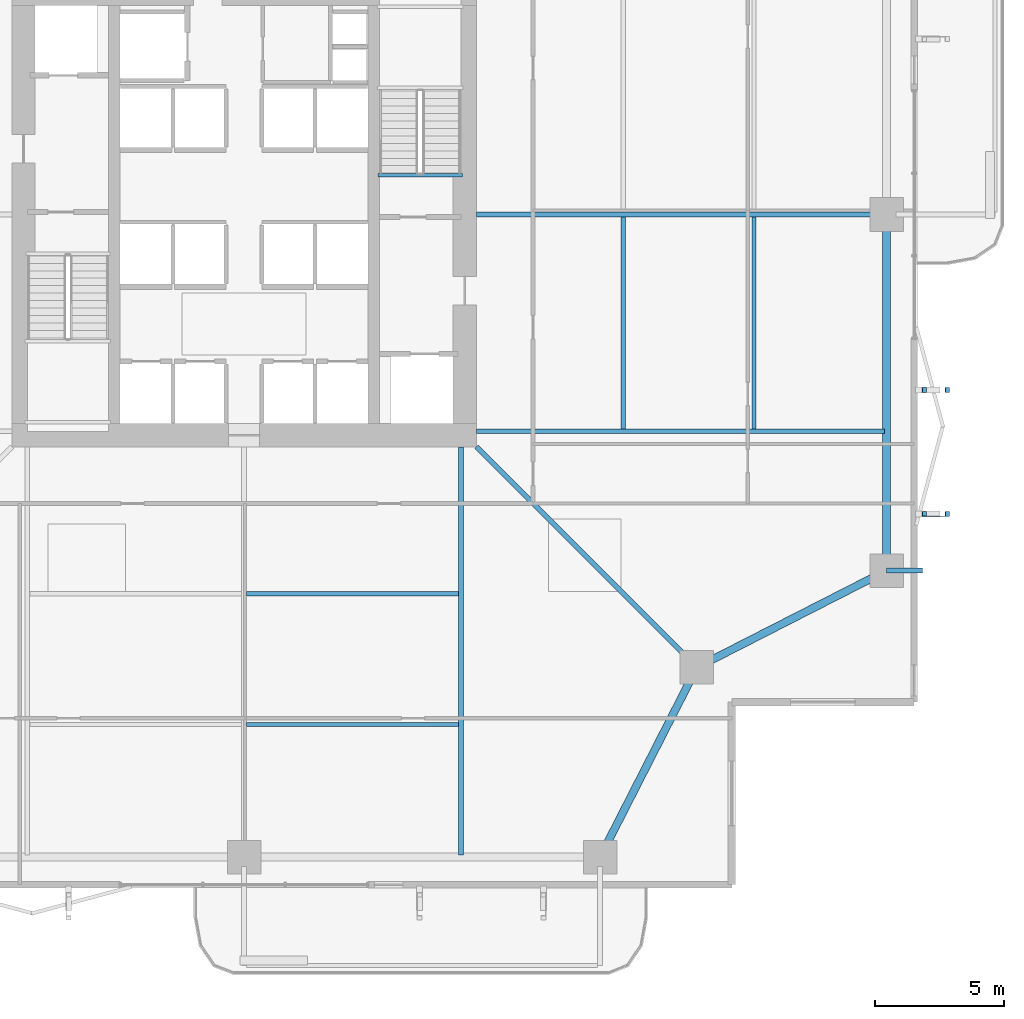
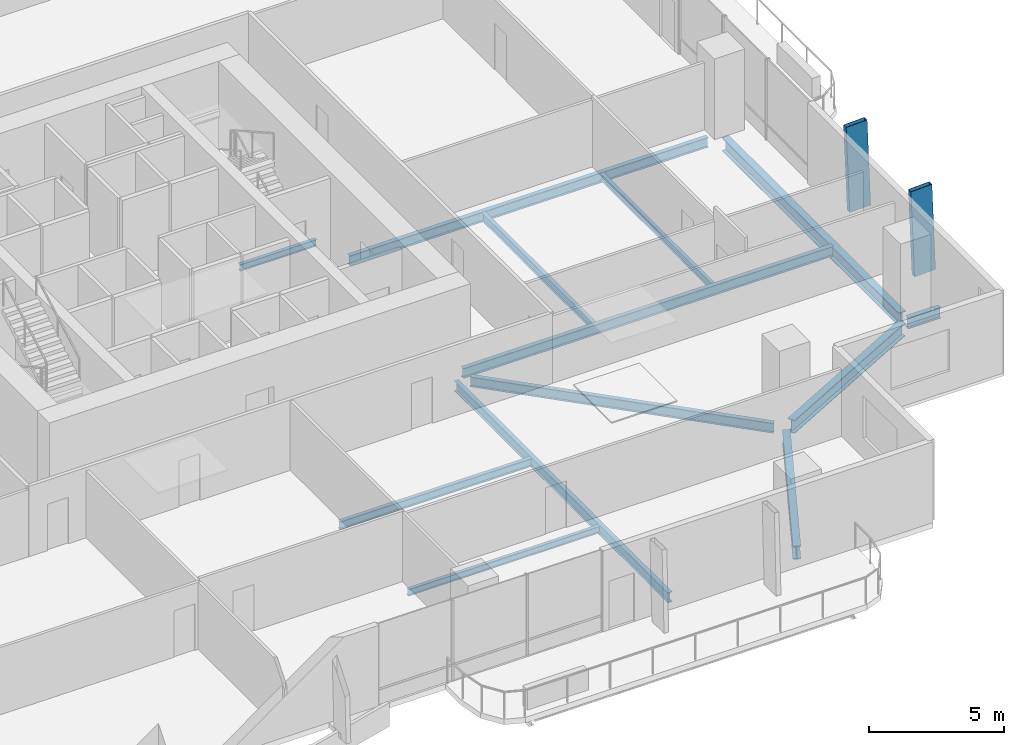
# One storey, part 7 of 24: 13 beams, 2 members.
"""IFC4 building model written with IfcOpenShell, lengths in metres."""

from ifc_helpers import new_model, si_unit, direction, frame, origin, origin_2d, place, context, subcontext, project, spatial, hollow_rectangle, i_section, extrude, material, material_profile, profile_set, type_object, element, save


model = new_model("IFC4")

# Units and contexts
model_context = context("Model", 3, precision=1e-05, world=origin(), true_north=direction((0.0, 1.0)))
body_context = subcontext(model_context, "Body", "Model", "MODEL_VIEW")
ifc_project = project(units=[si_unit("LENGTHUNIT", "METRE"), si_unit("AREAUNIT", "SQUARE_METRE"), si_unit("VOLUMEUNIT", "CUBIC_METRE"), si_unit("PLANEANGLEUNIT", "RADIAN"), si_unit("MASSUNIT", "GRAM", prefix="KILO")], contexts=[model_context])

# Site, building, storey
site_placement = place(None, origin())
site = spatial("IfcSite", under=ifc_project, at=site_placement, CompositionType="ELEMENT")
building_placement = place(site_placement, origin())
building = spatial("IfcBuilding", under=site, at=building_placement, Name="Belovzor Exchange Tower", CompositionType="ELEMENT")
storey_placement = place(building_placement, frame((0.0, 0.0, 121.199951171875)))
storey = spatial("IfcBuildingStorey", under=building, at=storey_placement, Name="L29", CompositionType="ELEMENT", Elevation=121.199951171875)

# Beams
ifc_material_1 = material(Name="Steel S355", Category="steel")
ifc_material_profile_1 = material_profile(ifc_material_1, i_section(OverallWidth=0.199951171875, OverallDepth=0.5, WebThickness=0.01025390625, FlangeThickness=0.01611328125, at=origin_2d()))
ifc_profile_set_1 = profile_set([ifc_material_profile_1], Name="Steel S355")
beam_type_1 = type_object("IfcBeamType", Name="Planted Balcony Cantilever Beam IPE 500", PredefinedType="BEAM", material=ifc_profile_set_1)
beam_1_placement = place(storey_placement, frame((53.699951171875, 15.0, -0.5), z_axis=(1.0, 0.0, 0.0), x_axis=(0.0, 1.0, 0.0)))
element("IfcBeam", 1, at=beam_1_placement, inside=storey, type_object=beam_type_1, Name="BC-500 Planted Balcony Cantilever Beam IPE 500", PredefinedType="BEAM", context=body_context, shape_type="SweptSolid", body=[
    extrude(i_section(OverallWidth=0.199951171875, OverallDepth=0.5, WebThickness=0.01025390625, FlangeThickness=0.01611328125, at=origin_2d()), origin(), (0.0, 0.0, 1.0), 1.400146484375),
])
ifc_material_2 = material(Name="Steel S355", Category="steel")
ifc_material_profile_2 = material_profile(ifc_material_2, i_section(OverallWidth=0.169921875, OverallDepth=0.360107421875, WebThickness=0.008056640625, FlangeThickness=0.0126953125, at=origin_2d()))
ifc_profile_set_2 = profile_set([ifc_material_profile_2], Name="Steel S355")
beam_type_2 = type_object("IfcBeamType", Name="Secondary Infill Floor Joist IPE 360", PredefinedType="BEAM", material=ifc_profile_set_2)
for number, where, z_axis, x_axis, name in (
    (2, (28.89501953125, 14.10302734375, -0.429931640625), (1.0, 0.0, 0.0), (0.0, 1.0, 0.0), "FJ-360 Secondary Infill Floor Joist IPE 360"),
    (3, (43.4970703125, 20.4951171875, -0.429931640625), (0.0, 1.0, 0.0), (-1.0, 0.0, 0.0), "FJ-360 Secondary Infill Floor Joist IPE 360"),
):
    element("IfcBeam", number, at=place(storey_placement, frame(where, z_axis=z_axis, x_axis=x_axis)), inside=storey, type_object=beam_type_2, Name=name, PredefinedType="BEAM", context=body_context, shape_type="SweptSolid", body=[
        extrude(i_section(OverallWidth=0.169921875, OverallDepth=0.360107421875, WebThickness=0.008056640625, FlangeThickness=0.0126953125, at=origin_2d()), origin(), (0.0, 0.0, 1.0), 8.2099609375),
    ])
ifc_material_3 = material(Name="Steel S355", Category="steel")
ifc_material_profile_3 = material_profile(ifc_material_3, i_section(OverallWidth=0.14990234375, OverallDepth=0.300048828125, WebThickness=0.007080078125, FlangeThickness=0.0107421875, at=origin_2d()))
ifc_profile_set_3 = profile_set([ifc_material_profile_3], Name="Steel S355")
beam_type_3 = type_object("IfcBeamType", Name="Secondary Trim Floor Joist IPE 300", PredefinedType="BEAM", material=ifc_profile_set_3)
beam_2_placement = place(storey_placement, frame((37.260009765625, 30.320068359375, -0.39990234375), z_axis=(-1.0, 0.0, 0.0), x_axis=(0.0, -1.0, 0.0)))
element("IfcBeam", 4, at=beam_2_placement, inside=storey, type_object=beam_type_3, Name="FJ-300 Secondary Trim Floor Joist IPE 300", PredefinedType="BEAM", context=body_context, shape_type="SweptSolid", body=[
    extrude(i_section(OverallWidth=0.14990234375, OverallDepth=0.300048828125, WebThickness=0.007080078125, FlangeThickness=0.0107421875, at=origin_2d()), origin(), (0.0, 0.0, 1.0), 3.27001953125),
])
for number, where, z_axis, x_axis, name in (
    (5, (28.89501953125, 9.0390625, -0.39990234375), (1.0, 0.0, 0.0), (0.0, 1.0, 0.0), "FJ-300 Secondary Trim Floor Joist IPE 300"),
    (6, (48.56103515625, 20.4951171875, -0.39990234375), (0.0, 1.0, 0.0), (-1.0, 0.0, 0.0), "FJ-300 Secondary Trim Floor Joist IPE 300"),
):
    element("IfcBeam", number, at=place(storey_placement, frame(where, z_axis=z_axis, x_axis=x_axis)), inside=storey, type_object=beam_type_3, Name=name, PredefinedType="BEAM", context=body_context, shape_type="SweptSolid", body=[
        extrude(i_section(OverallWidth=0.14990234375, OverallDepth=0.300048828125, WebThickness=0.007080078125, FlangeThickness=0.0107421875, at=origin_2d()), origin(), (0.0, 0.0, 1.0), 8.2099609375),
    ])

# Members
ifc_material_4 = material(Name="Extruded Architectural Terracotta on Steel S355 Carrier", Category="masonry")
ifc_material_profile_4 = material_profile(ifc_material_4, hollow_rectangle(XDim=0.199951171875, YDim=0.89990234375, WallThickness=0.011962890625, at=origin_2d()))
ifc_profile_set_4 = profile_set([ifc_material_profile_4], Name="Extruded Architectural Terracotta on Steel S355 Carrier")
member_type = type_object("IfcMemberType", Name="Sweeping Terracotta Baguette Fin Assembly 1250", PredefinedType="USERDEFINED", material=ifc_profile_set_4)
for number, where, z_axis, x_axis, name in (
    (7, (55.68310546875, 17.199951171875, -0.25), (-0.039718243113, 0.0, 0.999210919258), (0.0, -1.0, 0.0), "FIN-TC125 Terracotta Facade Fin L29 E1"),
    (8, (55.68310546875, 22.0, -0.25), (-0.039718243113, 0.0, 0.999210919258), (0.0, -1.0, 0.0), "FIN-TC125 Terracotta Facade Fin L29 E2"),
):
    element("IfcMember", number, at=place(storey_placement, frame(where, z_axis=z_axis, x_axis=x_axis)), inside=storey, type_object=member_type, Name=name, ObjectType="FIN", PredefinedType="USERDEFINED", context=body_context, shape_type="SweptSolid", body=[
        extrude(hollow_rectangle(XDim=0.199951171875, YDim=0.89990234375, WallThickness=0.011962890625, at=origin_2d()), origin(), (0.0, 0.0, 1.0), 3.9033203125),
    ])

# Beams
ifc_material_5 = material(Name="Steel S355", Category="steel")
ifc_material_profile_5 = material_profile(ifc_material_5, i_section(OverallWidth=0.300048828125, OverallDepth=0.60009765625, WebThickness=0.015380859375, FlangeThickness=0.030029296875, at=origin_2d()))
ifc_profile_set_5 = profile_set([ifc_material_profile_5], Name="Steel S355")
beam_type_4 = type_object("IfcBeamType", Name="Zone 2 Primary Perimeter Girder HEB 600", PredefinedType="BEAM", material=ifc_profile_set_5)
for number, where, z_axis, x_axis, name in (
    (9, (42.761962890625, 4.218017578125, -0.550048828125), (0.454531706448, 0.890730558493, 0.0), (-0.890730558493, 0.454531706448, 0.0), "FG-Z2 Zone 2 Primary Perimeter Girder HEB 600"),
    (10, (46.66796875, 11.412109375, -0.550048828125), (0.890750362822, 0.454492894481, 0.0), (-0.454492894481, 0.890750362822, 0.0), "FG-Z2 Zone 2 Primary Perimeter Girder HEB 600"),
):
    element("IfcBeam", number, at=place(storey_placement, frame(where, z_axis=z_axis, x_axis=x_axis)), inside=storey, type_object=beam_type_4, Name=name, PredefinedType="BEAM", context=body_context, shape_type="SweptSolid", body=[
        extrude(i_section(OverallWidth=0.300048828125, OverallDepth=0.60009765625, WebThickness=0.015380859375, FlangeThickness=0.030029296875, at=origin_2d()), origin(), (0.0, 0.0, 1.0), 7.53759765625),
    ])
beam_3_placement = place(storey_placement, frame((53.699951171875, 15.35693359375, -0.550048828125), z_axis=(0.0, 1.0, 0.0), x_axis=(-1.0, 0.0, 0.0)))
element("IfcBeam", 11, at=beam_3_placement, inside=storey, type_object=beam_type_4, Name="FG-Z2 Zone 2 Primary Perimeter Girder HEB 600", PredefinedType="BEAM", context=body_context, shape_type="SweptSolid", body=[
    extrude(i_section(OverallWidth=0.300048828125, OverallDepth=0.60009765625, WebThickness=0.015380859375, FlangeThickness=0.030029296875, at=origin_2d()), origin(), (0.0, 0.0, 1.0), 13.0849609375),
])
ifc_material_6 = material(Name="Steel S355", Category="steel")
ifc_material_profile_6 = material_profile(ifc_material_6, i_section(OverallWidth=0.18994140625, OverallDepth=0.449951171875, WebThickness=0.009521484375, FlangeThickness=0.0146484375, at=origin_2d()))
ifc_profile_set_6 = profile_set([ifc_material_profile_6], Name="Steel S355")
beam_type_5 = type_object("IfcBeamType", Name="Zone 2-4 Radial Composite Floor Beam IPE 450", PredefinedType="BEAM", material=ifc_profile_set_6)
for number, where, z_axis, x_axis, name in (
    (12, (37.199951171875, 19.800048828125, -0.474853515625), (0.0, -1.0, 0.0), (1.0, 0.0, 0.0), "FB-450 Zone 2-4 Radial Composite Floor Beam IPE 450"),
    (13, (37.800048828125, 20.39990234375, -0.474853515625), (1.0, 0.0, 0.0), (0.0, 1.0, 0.0), "FB-450 Zone 2-4 Radial Composite Floor Beam IPE 450"),
):
    element("IfcBeam", number, at=place(storey_placement, frame(where, z_axis=z_axis, x_axis=x_axis)), inside=storey, type_object=beam_type_5, Name=name, PredefinedType="BEAM", context=body_context, shape_type="SweptSolid", body=[
        extrude(i_section(OverallWidth=0.18994140625, OverallDepth=0.449951171875, WebThickness=0.009521484375, FlangeThickness=0.0146484375, at=origin_2d()), origin(), (0.0, 0.0, 1.0), 15.824951171875),
    ])
beam_4_placement = place(storey_placement, frame((37.800048828125, 28.800048828125, -0.474853515625), z_axis=(1.0, 0.0, 0.0), x_axis=(0.0, 1.0, 0.0)))
element("IfcBeam", 14, at=beam_4_placement, inside=storey, type_object=beam_type_5, Name="FB-450 Zone 2-4 Radial Composite Floor Beam IPE 450", PredefinedType="BEAM", context=body_context, shape_type="SweptSolid", body=[
    extrude(i_section(OverallWidth=0.18994140625, OverallDepth=0.449951171875, WebThickness=0.009521484375, FlangeThickness=0.0146484375, at=origin_2d()), origin(), (0.0, 0.0, 1.0), 15.327880859375),
])
beam_5_placement = place(storey_placement, frame((37.800048828125, 19.800048828125, -0.474853515625), z_axis=(0.70709628664, -0.707117275577, 0.0), x_axis=(0.707117275577, 0.70709628664, 0.0)))
element("IfcBeam", 15, at=beam_5_placement, inside=storey, type_object=beam_type_5, Name="FB-450 Zone 2-4 Radial Composite Floor Beam IPE 450", PredefinedType="BEAM", context=body_context, shape_type="SweptSolid", body=[
    extrude(i_section(OverallWidth=0.18994140625, OverallDepth=0.449951171875, WebThickness=0.009521484375, FlangeThickness=0.0146484375, at=origin_2d()), origin(), (0.0, 0.0, 1.0), 11.6318359375),
])

save(model, "model.ifc")
